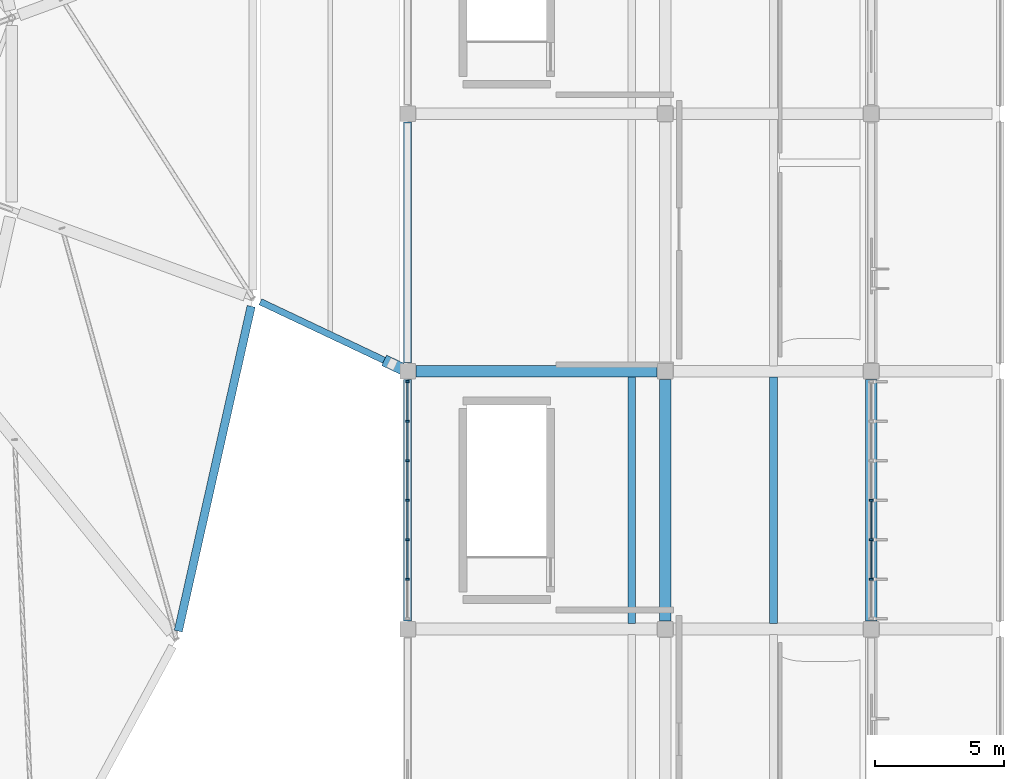
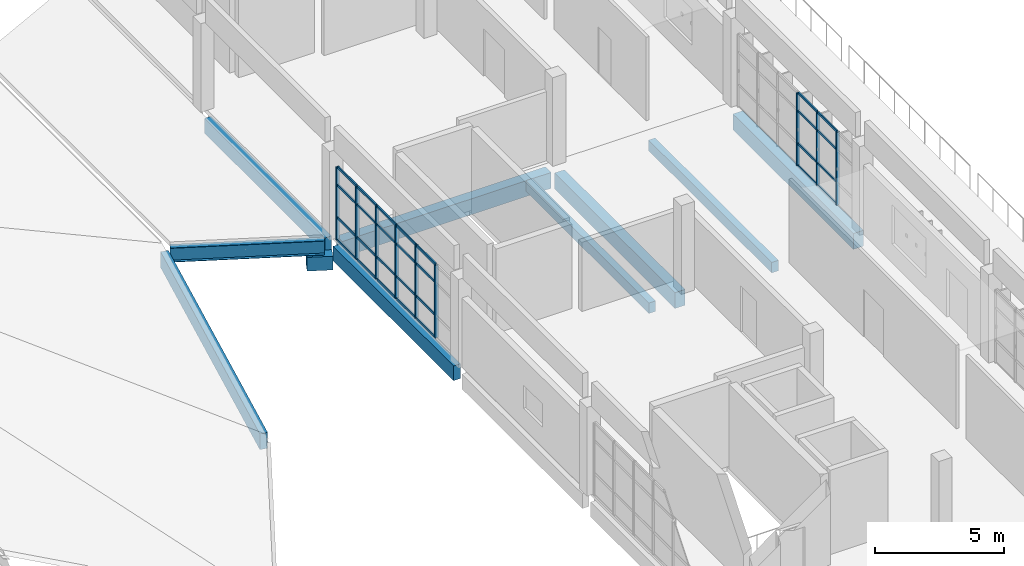
# One storey, part 10 of 39: 37 members, 10 beams, 2 elements without a shape of their own.
"""IFC4 building model written with IfcOpenShell, lengths in metres."""

import ifcopenshell
import ifcopenshell.guid

model = None  # the IFC model being written
_history = None  # IfcOwnerHistory: only IFC2X3 demands one
_inside = {}  # id of a spatial element -> (the spatial element, [elements in it])
_under = {}  # id of a project, library or spatial element -> (it, [spatial elements below it])
_declared = {}  # id of a project -> (the project, [libraries it declares])
_typed = {}  # id of a type object -> (the type object, [elements of that type])
_made_of = {}  # id of a material, layer set ... -> (it, [elements and type objects made of it])


def new_model(schema):
    """Start an empty IFC model of exactly this schema.

    Asked for "IFC4X3", IfcOpenShell would pick the latest addendum, in which some entities
    have other attributes; the version numbers below select the first issue.
    IFC2X3 requires an IfcOwnerHistory on every rooted entity: one is made here for all.
    """
    global model, _history
    if schema == "IFC4X3":
        model = ifcopenshell.file(schema_version=(4, 3, 0, 0))
    else:
        model = ifcopenshell.file(schema=schema)
    _inside.clear()
    _under.clear()
    _declared.clear()
    _typed.clear()
    _made_of.clear()
    _history = None
    if model.schema == "IFC2X3":
        org = make("IfcOrganization", Name="unknown")
        user = make(
            "IfcPersonAndOrganization",
            ThePerson=make("IfcPerson", FamilyName="unknown"),
            TheOrganization=org,
        )
        app = make(
            "IfcApplication",
            ApplicationDeveloper=org,
            Version="unknown",
            ApplicationFullName="unknown",
            ApplicationIdentifier="unknown",
        )
        _history = make(
            "IfcOwnerHistory",
            OwningUser=user,
            OwningApplication=app,
            ChangeAction="ADDED",
            CreationDate=0,
        )
    return model


def make(cls, **values):
    """One entity of the class cls with the attributes given. An attribute that is None is left unset."""
    return model.create_entity(
        cls, **{name: value for name, value in values.items() if value is not None}
    )


def rooted(cls, **values):
    """An entity with a GlobalId (a new one), such as an element, a storey or a relation."""
    return make(cls, GlobalId=ifcopenshell.guid.new(), OwnerHistory=_history, **values)


def si_unit(unit_type, name, prefix=None):
    """IfcSIUnit, for example si_unit("LENGTHUNIT", "METRE", prefix="MILLI")."""
    return make("IfcSIUnit", UnitType=unit_type, Prefix=prefix, Name=name)


def assignment(units):
    """IfcUnitAssignment: the units of a project."""
    return None if units is None else make("IfcUnitAssignment", Units=units)


def point(xyz):
    """IfcCartesianPoint."""
    return None if xyz is None else make("IfcCartesianPoint", Coordinates=xyz)


def direction(xyz):
    """IfcDirection."""
    return None if xyz is None else make("IfcDirection", DirectionRatios=xyz)


def frame(location, z_axis=None, x_axis=None):
    """IfcAxis2Placement3D, a coordinate frame: its origin and axes. An axis left out is left unset."""
    return make(
        "IfcAxis2Placement3D",
        Location=point(location),
        Axis=direction(z_axis),
        RefDirection=direction(x_axis),
    )


def frame_2d(location, x_axis=None):
    """IfcAxis2Placement2D, a coordinate frame in the plane: its origin and x axis."""
    return make(
        "IfcAxis2Placement2D", Location=point(location), RefDirection=direction(x_axis)
    )


def origin():
    """The frame at (0, 0, 0) with its axes left unset."""
    return frame((0.0, 0.0, 0.0))


def origin_2d():
    """The frame at (0, 0) in the plane with its x axis left unset."""
    return frame_2d((0.0, 0.0))


def place(relative_to, where):
    """IfcLocalPlacement: puts the frame where relative to a parent placement (None: the world)."""
    return make(
        "IfcLocalPlacement", PlacementRelTo=relative_to, RelativePlacement=where
    )


def context(
    kind, dimensions, precision=None, world=None, true_north=None, identifier=None
):
    """IfcGeometricRepresentationContext, for example the 3D "Model" context."""
    return make(
        "IfcGeometricRepresentationContext",
        ContextIdentifier=identifier,
        ContextType=kind,
        CoordinateSpaceDimension=dimensions,
        Precision=precision,
        WorldCoordinateSystem=world,
        TrueNorth=true_north,
    )


def subcontext(parent, identifier, kind, view, scale=None):
    """IfcGeometricRepresentationSubContext, for example "Body" below "Model"."""
    return make(
        "IfcGeometricRepresentationSubContext",
        ContextIdentifier=identifier,
        ContextType=kind,
        ParentContext=parent,
        TargetScale=scale,
        TargetView=view,
    )


def project(units=None, contexts=None):
    """IfcProject with its units and contexts."""
    return rooted(
        "IfcProject",
        Name="project",
        RepresentationContexts=contexts,
        UnitsInContext=assignment(units),
    )


def spatial(cls, under=None, at=None, **own):
    """A site, building, storey or space (cls), placed at a placement, below another one or the project."""
    s = rooted(cls, ObjectPlacement=at, **own)
    if under is not None:
        _under.setdefault(under.id(), (under, []))[1].append(s)
    return s


def profile(cls, at=None, kind="AREA", **sizes):
    """A parametric profile (cls). Its sizes go by their IFC names, for example OverallWidth=200.0."""
    return make(cls, ProfileType=kind, Position=at, **sizes)


def rectangle(**sizes):
    """IfcRectangleProfileDef."""
    return profile("IfcRectangleProfileDef", **sizes)


def i_section(**sizes):
    """IfcIShapeProfileDef."""
    return profile("IfcIShapeProfileDef", **sizes)


def extrude(swept, where, along, depth):
    """IfcExtrudedAreaSolid: the profile swept, set in the frame where, extruded along a direction by depth."""
    return make(
        "IfcExtrudedAreaSolid",
        SweptArea=swept,
        Position=where,
        ExtrudedDirection=direction(along),
        Depth=depth,
    )


def shape(context_of_items, identifier, shape_type, items):
    """IfcShapeRepresentation: the items that make up one representation, for example the "Body"."""
    return make(
        "IfcShapeRepresentation",
        ContextOfItems=context_of_items,
        RepresentationIdentifier=identifier,
        RepresentationType=shape_type,
        Items=items,
    )


def material(Name=None, Category=None):
    """IfcMaterial."""
    return make("IfcMaterial", Name=Name, Category=Category)


def layer(
    of_material, thickness, ventilated=None, Name=None, Category=None, Priority=None
):
    """IfcMaterialLayer: one layer of a wall or slab, of a material (None: an air gap)."""
    return make(
        "IfcMaterialLayer",
        Material=of_material,
        LayerThickness=thickness,
        IsVentilated=ventilated,
        Name=Name,
        Category=Category,
        Priority=Priority,
    )


def layer_set(layers, Name=None):
    """IfcMaterialLayerSet."""
    return make("IfcMaterialLayerSet", MaterialLayers=layers, LayerSetName=Name)


def material_profile(
    of_material, cross_section, Name=None, Category=None, Priority=None
):
    """IfcMaterialProfile: a cross section and its material."""
    return make(
        "IfcMaterialProfile",
        Name=Name,
        Material=of_material,
        Profile=cross_section,
        Priority=Priority,
        Category=Category,
    )


def profile_set(profiles, Name=None, composite=None):
    """IfcMaterialProfileSet."""
    return make(
        "IfcMaterialProfileSet",
        Name=Name,
        MaterialProfiles=profiles,
        CompositeProfile=composite,
    )


def made_of(thing, what):
    """Note that an element or type object is made of a material, layer set ...; save() writes the relation."""
    if what is not None:
        _made_of.setdefault(what.id(), (what, []))[1].append(thing)
    return thing


def type_object(cls, material=None, **own):
    """A type object (cls), such as IfcWallType, which elements share."""
    return made_of(rooted(cls, **own), material)


def element(
    cls,
    number,
    at=None,
    inside=None,
    cuts=None,
    type_object=None,
    material=None,
    context=None,
    identifier="Body",
    shape_type=None,
    held_by="IfcProductDefinitionShape",
    body=None,
    shapes=None,
    **own,
):
    """One element of the class cls, such as IfcWall. Its Tag is "e" and its number.

    at: its placement. inside: the storey or other place that contains it. cuts: it is an
    opening in that element (IfcRelVoidsElement). A single representation is given by context,
    identifier, shape_type and body (its items); several are given by shapes. held_by: the class
    of the entity that holds the representations. save() writes the other relations.
    """
    e = rooted(cls, Tag="e%d" % number, ObjectPlacement=at, **own)
    if body is not None:
        shapes = [shape(context, identifier, shape_type, body)]
    if shapes is not None:
        e.Representation = make(held_by, Representations=shapes)
    if inside is not None:
        _inside.setdefault(inside.id(), (inside, []))[1].append(e)
    if cuts is not None:
        rooted(
            "IfcRelVoidsElement", RelatingBuildingElement=cuts, RelatedOpeningElement=e
        )
    if type_object is not None:
        _typed.setdefault(type_object.id(), (type_object, []))[1].append(e)
    return made_of(e, material)


def aggregate(whole, parts):
    """IfcRelAggregates: a whole, such as a stair, and the parts it consists of."""
    return rooted("IfcRelAggregates", RelatingObject=whole, RelatedObjects=parts)


def save(model, path):
    """Write the relations noted so far, then the file.

    IfcRelAggregates (storeys below a building ...), IfcRelContainedInSpatialStructure (elements
    in a storey), IfcRelDefinesByType, IfcRelAssociatesMaterial and IfcRelDeclares: one each for
    every whole, place, type object, material and project.
    """
    for whole, parts in _under.values():
        aggregate(whole, parts)
    for where, things in _inside.values():
        rooted(
            "IfcRelContainedInSpatialStructure",
            RelatedElements=things,
            RelatingStructure=where,
        )
    for kind, things in _typed.values():
        rooted("IfcRelDefinesByType", RelatedObjects=things, RelatingType=kind)
    for what, things in _made_of.values():
        rooted("IfcRelAssociatesMaterial", RelatedObjects=things, RelatingMaterial=what)
    for by, libraries in _declared.values():
        rooted("IfcRelDeclares", RelatingContext=by, RelatedDefinitions=libraries)
    model.write(path)


model = new_model("IFC4")

# Units and contexts
model_context = context("Model", 3, precision=1e-05, world=origin(), true_north=direction((0.0, 1.0)))
body_context = subcontext(model_context, "Body", "Model", "MODEL_VIEW")
ifc_project = project(units=[si_unit("LENGTHUNIT", "METRE"), si_unit("AREAUNIT", "SQUARE_METRE"), si_unit("VOLUMEUNIT", "CUBIC_METRE"), si_unit("PLANEANGLEUNIT", "RADIAN"), si_unit("MASSUNIT", "GRAM", prefix="KILO")], contexts=[model_context])

# Site, building, storey
site_placement = place(None, origin())
site = spatial("IfcSite", under=ifc_project, at=site_placement, CompositionType="ELEMENT")
building_placement = place(site_placement, origin())
building = spatial("IfcBuilding", under=site, at=building_placement, Name="Corvandel Quay Wholesale Market", CompositionType="ELEMENT")
storey_placement = place(building_placement, frame((0.0, 0.0, 15.0)))
storey = spatial("IfcBuildingStorey", under=building, at=storey_placement, Name="L03", CompositionType="ELEMENT", Elevation=15.0)

# Beam
ifc_material_1 = material(Name="Steel A992 Grade 50", Category="steel")
ifc_material_profile_1 = material_profile(ifc_material_1, i_section(OverallWidth=0.25390625, OverallDepth=0.68310546875, WebThickness=0.012451171875, FlangeThickness=0.018798828125, at=origin_2d()), Name="W27X94")
ifc_profile_set_1 = profile_set([ifc_material_profile_1], Name="Steel A992 Grade 50")
beam_type_1 = type_object("IfcBeamType", Name="Bridge Link Steel Girder SG01 W27X94", PredefinedType="USERDEFINED", material=ifc_profile_set_1)
beam_1_placement = place(storey_placement, frame((214.28466796875, 52.704345703125, -0.54150390625), z_axis=(0.903920621158, -0.427700257943, 0.0), x_axis=(0.427700257943, 0.903920621158, 0.0)))
element("IfcBeam", 1, at=beam_1_placement, inside=storey, type_object=beam_type_1, Name="Beam BM-1817", ObjectType="GIRDER", PredefinedType="USERDEFINED", context=body_context, shape_type="SweptSolid", body=[
    extrude(i_section(OverallWidth=0.25390625, OverallDepth=0.68310546875, WebThickness=0.012451171875, FlangeThickness=0.018798828125, at=origin_2d()), origin(), (0.0, 0.0, 1.0), 6.0078125),
])

# Curtain wall, members
ifc_material_2 = material(Name="Bronze anodised aluminium and low-E insulated glazing", Category="aluminium")
ifc_layer_1 = layer(ifc_material_2, 0.162109375)
ifc_layer_set_1 = layer_set([ifc_layer_1], Name="Bronze anodised aluminium and low-E insulated glazing")
curtain_wall_type_1 = type_object("IfcCurtainWallType", Name="Stick Curtain Wall System CW16 H4440", PredefinedType="NOTDEFINED", material=ifc_layer_set_1)
curtain_wall_1_placement = place(storey_placement, origin())
curtain_wall_1 = element("IfcCurtainWall", 2, at=curtain_wall_1_placement, inside=storey, type_object=curtain_wall_type_1, Name="Curtain Wall CW-0164", PredefinedType="NOTDEFINED")
ifc_material_3 = material(Name="Anodised aluminium 6063-T6", Category="aluminium")
ifc_material_profile_2 = material_profile(ifc_material_3, rectangle(XDim=0.06494140625, YDim=0.14990234375, at=origin_2d()), Name="ALU-MUL-65x150")
ifc_profile_set_2 = profile_set([ifc_material_profile_2], Name="Anodised aluminium 6063-T6")
member_type_1 = type_object("IfcMemberType", Name="Curtain Wall Mullion ML02 65x150", PredefinedType="MULLION", material=ifc_profile_set_2)
member_1_placement = place(storey_placement, frame((238.0, 41.933349609375, 0.0), z_axis=(0.0, 0.0, 1.0), x_axis=(0.0, 1.0, 0.0)))
member_1 = element("IfcMember", 3, at=member_1_placement, type_object=member_type_1, Name="Mullion CW-0164-M01", PredefinedType="MULLION", context=body_context, shape_type="SweptSolid", body=[
    extrude(rectangle(XDim=0.06494140625, YDim=0.14990234375, at=origin_2d()), origin(), (0.0, 0.0, 1.0), 3.449951171875),
])
member_2_placement = place(storey_placement, frame((238.0, 43.466796875, 0.0), z_axis=(0.0, 0.0, 1.0), x_axis=(0.0, 1.0, 0.0)))
member_2 = element("IfcMember", 4, at=member_2_placement, type_object=member_type_1, Name="Mullion CW-0164-M02", PredefinedType="MULLION", context=body_context, shape_type="SweptSolid", body=[
    extrude(rectangle(XDim=0.06494140625, YDim=0.14990234375, at=origin_2d()), origin(), (0.0, 0.0, 1.0), 3.449951171875),
])
member_3_placement = place(storey_placement, frame((238.0, 45.0, 0.0), z_axis=(0.0, 0.0, 1.0), x_axis=(0.0, 1.0, 0.0)))
member_3 = element("IfcMember", 5, at=member_3_placement, type_object=member_type_1, Name="Mullion CW-0164-M03", PredefinedType="MULLION", context=body_context, shape_type="SweptSolid", body=[
    extrude(rectangle(XDim=0.06494140625, YDim=0.14990234375, at=origin_2d()), origin(), (0.0, 0.0, 1.0), 3.449951171875),
])

ifc_layer_2 = layer(ifc_material_2, 0.174072265625)
ifc_layer_set_2 = layer_set([ifc_layer_2], Name="Bronze anodised aluminium and low-E insulated glazing")
curtain_wall_type_2 = type_object("IfcCurtainWallType", Name="Stick Curtain Wall System CW22 H4980", PredefinedType="NOTDEFINED", material=ifc_layer_set_2)
curtain_wall_2_placement = place(storey_placement, origin())
curtain_wall_2 = element("IfcCurtainWall", 6, at=curtain_wall_2_placement, inside=storey, type_object=curtain_wall_type_2, Name="Curtain Wall CW-0165", PredefinedType="NOTDEFINED")
member_4_placement = place(storey_placement, frame((220.0, 41.933349609375, 0.0), z_axis=(0.0, 0.0, 1.0), x_axis=(0.0, 1.0, 0.0)))
member_4 = element("IfcMember", 7, at=member_4_placement, type_object=member_type_1, Name="Mullion CW-0165-M01", PredefinedType="MULLION", context=body_context, shape_type="SweptSolid", body=[
    extrude(rectangle(XDim=0.06494140625, YDim=0.14990234375, at=origin_2d()), origin(), (0.0, 0.0, 1.0), 3.449951171875),
])
member_5_placement = place(storey_placement, frame((220.0, 43.466796875, 0.0), z_axis=(0.0, 0.0, 1.0), x_axis=(0.0, 1.0, 0.0)))
member_5 = element("IfcMember", 8, at=member_5_placement, type_object=member_type_1, Name="Mullion CW-0165-M02", PredefinedType="MULLION", context=body_context, shape_type="SweptSolid", body=[
    extrude(rectangle(XDim=0.06494140625, YDim=0.14990234375, at=origin_2d()), origin(), (0.0, 0.0, 1.0), 3.449951171875),
])
member_6_placement = place(storey_placement, frame((220.0, 45.0, 0.0), z_axis=(0.0, 0.0, 1.0), x_axis=(0.0, 1.0, 0.0)))
member_6 = element("IfcMember", 9, at=member_6_placement, type_object=member_type_1, Name="Mullion CW-0165-M03", PredefinedType="MULLION", context=body_context, shape_type="SweptSolid", body=[
    extrude(rectangle(XDim=0.06494140625, YDim=0.14990234375, at=origin_2d()), origin(), (0.0, 0.0, 1.0), 3.449951171875),
])
member_7_placement = place(storey_placement, frame((220.0, 46.533203125, 0.0), z_axis=(0.0, 0.0, 1.0), x_axis=(0.0, 1.0, 0.0)))
member_7 = element("IfcMember", 10, at=member_7_placement, type_object=member_type_1, Name="Mullion CW-0165-M04", PredefinedType="MULLION", context=body_context, shape_type="SweptSolid", body=[
    extrude(rectangle(XDim=0.06494140625, YDim=0.14990234375, at=origin_2d()), origin(), (0.0, 0.0, 1.0), 3.449951171875),
])
member_8_placement = place(storey_placement, frame((220.0, 48.066650390625, 0.0), z_axis=(0.0, 0.0, 1.0), x_axis=(0.0, 1.0, 0.0)))
member_8 = element("IfcMember", 11, at=member_8_placement, type_object=member_type_1, Name="Mullion CW-0165-M05", PredefinedType="MULLION", context=body_context, shape_type="SweptSolid", body=[
    extrude(rectangle(XDim=0.06494140625, YDim=0.14990234375, at=origin_2d()), origin(), (0.0, 0.0, 1.0), 3.449951171875),
])
member_9_placement = place(storey_placement, frame((220.0, 49.60009765625, 0.0), z_axis=(0.0, 0.0, 1.0), x_axis=(0.0, 1.0, 0.0)))
member_9 = element("IfcMember", 12, at=member_9_placement, type_object=member_type_1, Name="Mullion CW-0165-M06", PredefinedType="MULLION", context=body_context, shape_type="SweptSolid", body=[
    extrude(rectangle(XDim=0.06494140625, YDim=0.14990234375, at=origin_2d()), origin(), (0.0, 0.0, 1.0), 3.449951171875),
])

# Member
ifc_material_profile_3 = material_profile(ifc_material_3, rectangle(XDim=0.06005859375, YDim=0.110107421875, at=origin_2d()), Name="ALU-TRN-60x110")
ifc_profile_set_3 = profile_set([ifc_material_profile_3], Name="Anodised aluminium 6063-T6")
member_type_2 = type_object("IfcMemberType", Name="Curtain Wall Transom TR02 60x110", PredefinedType="USERDEFINED", material=ifc_profile_set_3)
member_10_placement = place(storey_placement, frame((238.0, 41.9658203125, 0.0), z_axis=(0.0, 1.0, 0.0), x_axis=(-1.0, 0.0, 0.0)))
member_10 = element("IfcMember", 13, at=member_10_placement, type_object=member_type_2, Name="Transom CW-0164-T01-0", ObjectType="TRANSOM", PredefinedType="USERDEFINED", context=body_context, shape_type="SweptSolid", body=[
    extrude(rectangle(XDim=0.06005859375, YDim=0.110107421875, at=origin_2d()), origin(), (0.0, 0.0, 1.0), 1.46826171875),
])

member_11_placement = place(storey_placement, frame((238.0, 41.9658203125, 1.050048828125), z_axis=(0.0, 1.0, 0.0), x_axis=(-1.0, 0.0, 0.0)))
member_11 = element("IfcMember", 14, at=member_11_placement, type_object=member_type_2, Name="Transom CW-0164-T01-1", ObjectType="TRANSOM", PredefinedType="USERDEFINED", context=body_context, shape_type="SweptSolid", body=[
    extrude(rectangle(XDim=0.06005859375, YDim=0.110107421875, at=origin_2d()), origin(), (0.0, 0.0, 1.0), 1.46826171875),
])

member_12_placement = place(storey_placement, frame((238.0, 41.9658203125, 2.60009765625), z_axis=(0.0, 1.0, 0.0), x_axis=(-1.0, 0.0, 0.0)))
member_12 = element("IfcMember", 15, at=member_12_placement, type_object=member_type_2, Name="Transom CW-0164-T01-2", ObjectType="TRANSOM", PredefinedType="USERDEFINED", context=body_context, shape_type="SweptSolid", body=[
    extrude(rectangle(XDim=0.06005859375, YDim=0.110107421875, at=origin_2d()), origin(), (0.0, 0.0, 1.0), 1.46826171875),
])

member_13_placement = place(storey_placement, frame((238.0, 41.9658203125, 3.449951171875), z_axis=(0.0, 1.0, 0.0), x_axis=(-1.0, 0.0, 0.0)))
member_13 = element("IfcMember", 16, at=member_13_placement, type_object=member_type_2, Name="Transom CW-0164-T01-3", ObjectType="TRANSOM", PredefinedType="USERDEFINED", context=body_context, shape_type="SweptSolid", body=[
    extrude(rectangle(XDim=0.06005859375, YDim=0.110107421875, at=origin_2d()), origin(), (0.0, 0.0, 1.0), 1.46826171875),
])

member_14_placement = place(storey_placement, frame((238.0, 43.499267578125, 0.0), z_axis=(0.0, 1.0, 0.0), x_axis=(-1.0, 0.0, 0.0)))
member_14 = element("IfcMember", 17, at=member_14_placement, type_object=member_type_2, Name="Transom CW-0164-T02-0", ObjectType="TRANSOM", PredefinedType="USERDEFINED", context=body_context, shape_type="SweptSolid", body=[
    extrude(rectangle(XDim=0.06005859375, YDim=0.110107421875, at=origin_2d()), origin(), (0.0, 0.0, 1.0), 1.46826171875),
])

member_15_placement = place(storey_placement, frame((238.0, 43.499267578125, 1.050048828125), z_axis=(0.0, 1.0, 0.0), x_axis=(-1.0, 0.0, 0.0)))
member_15 = element("IfcMember", 18, at=member_15_placement, type_object=member_type_2, Name="Transom CW-0164-T02-1", ObjectType="TRANSOM", PredefinedType="USERDEFINED", context=body_context, shape_type="SweptSolid", body=[
    extrude(rectangle(XDim=0.06005859375, YDim=0.110107421875, at=origin_2d()), origin(), (0.0, 0.0, 1.0), 1.46826171875),
])

member_16_placement = place(storey_placement, frame((238.0, 43.499267578125, 2.60009765625), z_axis=(0.0, 1.0, 0.0), x_axis=(-1.0, 0.0, 0.0)))
member_16 = element("IfcMember", 19, at=member_16_placement, type_object=member_type_2, Name="Transom CW-0164-T02-2", ObjectType="TRANSOM", PredefinedType="USERDEFINED", context=body_context, shape_type="SweptSolid", body=[
    extrude(rectangle(XDim=0.06005859375, YDim=0.110107421875, at=origin_2d()), origin(), (0.0, 0.0, 1.0), 1.46826171875),
])

member_17_placement = place(storey_placement, frame((238.0, 43.499267578125, 3.449951171875), z_axis=(0.0, 1.0, 0.0), x_axis=(-1.0, 0.0, 0.0)))
member_17 = element("IfcMember", 20, at=member_17_placement, type_object=member_type_2, Name="Transom CW-0164-T02-3", ObjectType="TRANSOM", PredefinedType="USERDEFINED", context=body_context, shape_type="SweptSolid", body=[
    extrude(rectangle(XDim=0.06005859375, YDim=0.110107421875, at=origin_2d()), origin(), (0.0, 0.0, 1.0), 1.46826171875),
])

aggregate(curtain_wall_1, [member_1, member_2, member_3, member_10, member_11, member_12, member_13, member_14, member_15, member_16, member_17])

member_18_placement = place(storey_placement, frame((220.0, 41.9658203125, 0.0), z_axis=(0.0, 1.0, 0.0), x_axis=(-1.0, 0.0, 0.0)))
member_18 = element("IfcMember", 21, at=member_18_placement, type_object=member_type_2, Name="Transom CW-0165-T01-0", ObjectType="TRANSOM", PredefinedType="USERDEFINED", context=body_context, shape_type="SweptSolid", body=[
    extrude(rectangle(XDim=0.06005859375, YDim=0.110107421875, at=origin_2d()), origin(), (0.0, 0.0, 1.0), 1.46826171875),
])

member_19_placement = place(storey_placement, frame((220.0, 41.9658203125, 1.050048828125), z_axis=(0.0, 1.0, 0.0), x_axis=(-1.0, 0.0, 0.0)))
member_19 = element("IfcMember", 22, at=member_19_placement, type_object=member_type_2, Name="Transom CW-0165-T01-1", ObjectType="TRANSOM", PredefinedType="USERDEFINED", context=body_context, shape_type="SweptSolid", body=[
    extrude(rectangle(XDim=0.06005859375, YDim=0.110107421875, at=origin_2d()), origin(), (0.0, 0.0, 1.0), 1.46826171875),
])

member_20_placement = place(storey_placement, frame((220.0, 41.9658203125, 2.60009765625), z_axis=(0.0, 1.0, 0.0), x_axis=(-1.0, 0.0, 0.0)))
member_20 = element("IfcMember", 23, at=member_20_placement, type_object=member_type_2, Name="Transom CW-0165-T01-2", ObjectType="TRANSOM", PredefinedType="USERDEFINED", context=body_context, shape_type="SweptSolid", body=[
    extrude(rectangle(XDim=0.06005859375, YDim=0.110107421875, at=origin_2d()), origin(), (0.0, 0.0, 1.0), 1.46826171875),
])

member_21_placement = place(storey_placement, frame((220.0, 41.9658203125, 3.449951171875), z_axis=(0.0, 1.0, 0.0), x_axis=(-1.0, 0.0, 0.0)))
member_21 = element("IfcMember", 24, at=member_21_placement, type_object=member_type_2, Name="Transom CW-0165-T01-3", ObjectType="TRANSOM", PredefinedType="USERDEFINED", context=body_context, shape_type="SweptSolid", body=[
    extrude(rectangle(XDim=0.06005859375, YDim=0.110107421875, at=origin_2d()), origin(), (0.0, 0.0, 1.0), 1.46826171875),
])

member_22_placement = place(storey_placement, frame((220.0, 43.499267578125, 0.0), z_axis=(0.0, 1.0, 0.0), x_axis=(-1.0, 0.0, 0.0)))
member_22 = element("IfcMember", 25, at=member_22_placement, type_object=member_type_2, Name="Transom CW-0165-T02-0", ObjectType="TRANSOM", PredefinedType="USERDEFINED", context=body_context, shape_type="SweptSolid", body=[
    extrude(rectangle(XDim=0.06005859375, YDim=0.110107421875, at=origin_2d()), origin(), (0.0, 0.0, 1.0), 1.46826171875),
])

member_23_placement = place(storey_placement, frame((220.0, 43.499267578125, 1.050048828125), z_axis=(0.0, 1.0, 0.0), x_axis=(-1.0, 0.0, 0.0)))
member_23 = element("IfcMember", 26, at=member_23_placement, type_object=member_type_2, Name="Transom CW-0165-T02-1", ObjectType="TRANSOM", PredefinedType="USERDEFINED", context=body_context, shape_type="SweptSolid", body=[
    extrude(rectangle(XDim=0.06005859375, YDim=0.110107421875, at=origin_2d()), origin(), (0.0, 0.0, 1.0), 1.46826171875),
])

member_24_placement = place(storey_placement, frame((220.0, 43.499267578125, 2.60009765625), z_axis=(0.0, 1.0, 0.0), x_axis=(-1.0, 0.0, 0.0)))
member_24 = element("IfcMember", 27, at=member_24_placement, type_object=member_type_2, Name="Transom CW-0165-T02-2", ObjectType="TRANSOM", PredefinedType="USERDEFINED", context=body_context, shape_type="SweptSolid", body=[
    extrude(rectangle(XDim=0.06005859375, YDim=0.110107421875, at=origin_2d()), origin(), (0.0, 0.0, 1.0), 1.46826171875),
])

member_25_placement = place(storey_placement, frame((220.0, 43.499267578125, 3.449951171875), z_axis=(0.0, 1.0, 0.0), x_axis=(-1.0, 0.0, 0.0)))
member_25 = element("IfcMember", 28, at=member_25_placement, type_object=member_type_2, Name="Transom CW-0165-T02-3", ObjectType="TRANSOM", PredefinedType="USERDEFINED", context=body_context, shape_type="SweptSolid", body=[
    extrude(rectangle(XDim=0.06005859375, YDim=0.110107421875, at=origin_2d()), origin(), (0.0, 0.0, 1.0), 1.46826171875),
])

member_26_placement = place(storey_placement, frame((220.0, 45.032470703125, 0.0), z_axis=(0.0, 1.0, 0.0), x_axis=(-1.0, 0.0, 0.0)))
member_26 = element("IfcMember", 29, at=member_26_placement, type_object=member_type_2, Name="Transom CW-0165-T03-0", ObjectType="TRANSOM", PredefinedType="USERDEFINED", context=body_context, shape_type="SweptSolid", body=[
    extrude(rectangle(XDim=0.06005859375, YDim=0.110107421875, at=origin_2d()), origin(), (0.0, 0.0, 1.0), 1.46826171875),
])

member_27_placement = place(storey_placement, frame((220.0, 45.032470703125, 1.050048828125), z_axis=(0.0, 1.0, 0.0), x_axis=(-1.0, 0.0, 0.0)))
member_27 = element("IfcMember", 30, at=member_27_placement, type_object=member_type_2, Name="Transom CW-0165-T03-1", ObjectType="TRANSOM", PredefinedType="USERDEFINED", context=body_context, shape_type="SweptSolid", body=[
    extrude(rectangle(XDim=0.06005859375, YDim=0.110107421875, at=origin_2d()), origin(), (0.0, 0.0, 1.0), 1.46826171875),
])

member_28_placement = place(storey_placement, frame((220.0, 45.032470703125, 2.60009765625), z_axis=(0.0, 1.0, 0.0), x_axis=(-1.0, 0.0, 0.0)))
member_28 = element("IfcMember", 31, at=member_28_placement, type_object=member_type_2, Name="Transom CW-0165-T03-2", ObjectType="TRANSOM", PredefinedType="USERDEFINED", context=body_context, shape_type="SweptSolid", body=[
    extrude(rectangle(XDim=0.06005859375, YDim=0.110107421875, at=origin_2d()), origin(), (0.0, 0.0, 1.0), 1.46826171875),
])

member_29_placement = place(storey_placement, frame((220.0, 45.032470703125, 3.449951171875), z_axis=(0.0, 1.0, 0.0), x_axis=(-1.0, 0.0, 0.0)))
member_29 = element("IfcMember", 32, at=member_29_placement, type_object=member_type_2, Name="Transom CW-0165-T03-3", ObjectType="TRANSOM", PredefinedType="USERDEFINED", context=body_context, shape_type="SweptSolid", body=[
    extrude(rectangle(XDim=0.06005859375, YDim=0.110107421875, at=origin_2d()), origin(), (0.0, 0.0, 1.0), 1.46826171875),
])

member_30_placement = place(storey_placement, frame((220.0, 46.56591796875, 0.0), z_axis=(0.0, 1.0, 0.0), x_axis=(-1.0, 0.0, 0.0)))
member_30 = element("IfcMember", 33, at=member_30_placement, type_object=member_type_2, Name="Transom CW-0165-T04-0", ObjectType="TRANSOM", PredefinedType="USERDEFINED", context=body_context, shape_type="SweptSolid", body=[
    extrude(rectangle(XDim=0.06005859375, YDim=0.110107421875, at=origin_2d()), origin(), (0.0, 0.0, 1.0), 1.46826171875),
])

member_31_placement = place(storey_placement, frame((220.0, 46.56591796875, 1.050048828125), z_axis=(0.0, 1.0, 0.0), x_axis=(-1.0, 0.0, 0.0)))
member_31 = element("IfcMember", 34, at=member_31_placement, type_object=member_type_2, Name="Transom CW-0165-T04-1", ObjectType="TRANSOM", PredefinedType="USERDEFINED", context=body_context, shape_type="SweptSolid", body=[
    extrude(rectangle(XDim=0.06005859375, YDim=0.110107421875, at=origin_2d()), origin(), (0.0, 0.0, 1.0), 1.46826171875),
])

member_32_placement = place(storey_placement, frame((220.0, 46.56591796875, 2.60009765625), z_axis=(0.0, 1.0, 0.0), x_axis=(-1.0, 0.0, 0.0)))
member_32 = element("IfcMember", 35, at=member_32_placement, type_object=member_type_2, Name="Transom CW-0165-T04-2", ObjectType="TRANSOM", PredefinedType="USERDEFINED", context=body_context, shape_type="SweptSolid", body=[
    extrude(rectangle(XDim=0.06005859375, YDim=0.110107421875, at=origin_2d()), origin(), (0.0, 0.0, 1.0), 1.46826171875),
])

member_33_placement = place(storey_placement, frame((220.0, 46.56591796875, 3.449951171875), z_axis=(0.0, 1.0, 0.0), x_axis=(-1.0, 0.0, 0.0)))
member_33 = element("IfcMember", 36, at=member_33_placement, type_object=member_type_2, Name="Transom CW-0165-T04-3", ObjectType="TRANSOM", PredefinedType="USERDEFINED", context=body_context, shape_type="SweptSolid", body=[
    extrude(rectangle(XDim=0.06005859375, YDim=0.110107421875, at=origin_2d()), origin(), (0.0, 0.0, 1.0), 1.46826171875),
])

member_34_placement = place(storey_placement, frame((220.0, 48.09912109375, 0.0), z_axis=(0.0, 1.0, 0.0), x_axis=(-1.0, 0.0, 0.0)))
member_34 = element("IfcMember", 37, at=member_34_placement, type_object=member_type_2, Name="Transom CW-0165-T05-0", ObjectType="TRANSOM", PredefinedType="USERDEFINED", context=body_context, shape_type="SweptSolid", body=[
    extrude(rectangle(XDim=0.06005859375, YDim=0.110107421875, at=origin_2d()), origin(), (0.0, 0.0, 1.0), 1.46826171875),
])

member_35_placement = place(storey_placement, frame((220.0, 48.09912109375, 1.050048828125), z_axis=(0.0, 1.0, 0.0), x_axis=(-1.0, 0.0, 0.0)))
member_35 = element("IfcMember", 38, at=member_35_placement, type_object=member_type_2, Name="Transom CW-0165-T05-1", ObjectType="TRANSOM", PredefinedType="USERDEFINED", context=body_context, shape_type="SweptSolid", body=[
    extrude(rectangle(XDim=0.06005859375, YDim=0.110107421875, at=origin_2d()), origin(), (0.0, 0.0, 1.0), 1.46826171875),
])

member_36_placement = place(storey_placement, frame((220.0, 48.09912109375, 2.60009765625), z_axis=(0.0, 1.0, 0.0), x_axis=(-1.0, 0.0, 0.0)))
member_36 = element("IfcMember", 39, at=member_36_placement, type_object=member_type_2, Name="Transom CW-0165-T05-2", ObjectType="TRANSOM", PredefinedType="USERDEFINED", context=body_context, shape_type="SweptSolid", body=[
    extrude(rectangle(XDim=0.06005859375, YDim=0.110107421875, at=origin_2d()), origin(), (0.0, 0.0, 1.0), 1.46826171875),
])

member_37_placement = place(storey_placement, frame((220.0, 48.09912109375, 3.449951171875), z_axis=(0.0, 1.0, 0.0), x_axis=(-1.0, 0.0, 0.0)))
member_37 = element("IfcMember", 40, at=member_37_placement, type_object=member_type_2, Name="Transom CW-0165-T05-3", ObjectType="TRANSOM", PredefinedType="USERDEFINED", context=body_context, shape_type="SweptSolid", body=[
    extrude(rectangle(XDim=0.06005859375, YDim=0.110107421875, at=origin_2d()), origin(), (0.0, 0.0, 1.0), 1.46826171875),
])

aggregate(curtain_wall_2, [member_4, member_5, member_6, member_7, member_8, member_9, member_18, member_19, member_20, member_21, member_22, member_23, member_24, member_25, member_26, member_27, member_28, member_29, member_30, member_31, member_32, member_33, member_34, member_35, member_36, member_37])

# Beams
ifc_material_4 = material(Name="Precast concrete C45/55", Category="concrete")
ifc_material_profile_4 = material_profile(ifc_material_4, rectangle(XDim=0.300048828125, YDim=0.5, at=origin_2d()), Name="PC-BM-300x500")
ifc_profile_set_4 = profile_set([ifc_material_profile_4], Name="Precast concrete C45/55")
beam_type_2 = type_object("IfcBeamType", Name="Office Floor Secondary Beam B04 300x500", PredefinedType="BEAM", material=ifc_profile_set_4)
for number, where, z_axis, x_axis, name in (
    (41, (228.699951171875, 40.215087890625, -0.570068359375), (0.0, 1.0, 0.0), (-1.0, 0.0, 0.0), "Beam BM-1684"),
    (42, (234.199951171875, 40.215087890625, -0.570068359375), (0.0, 1.0, 0.0), (-1.0, 0.0, 0.0), "Beam BM-1685"),
):
    element("IfcBeam", number, at=place(storey_placement, frame(where, z_axis=z_axis, x_axis=x_axis)), inside=storey, type_object=beam_type_2, Name=name, PredefinedType="BEAM", context=body_context, shape_type="SweptSolid", body=[
        extrude(rectangle(XDim=0.300048828125, YDim=0.5, at=origin_2d()), origin(), (0.0, 0.0, 1.0), 9.56982421875),
    ])
ifc_material_profile_5 = material_profile(ifc_material_4, rectangle(XDim=0.320068359375, YDim=0.75, at=origin_2d()), Name="PC-SPN-320x750")
ifc_profile_set_5 = profile_set([ifc_material_profile_5], Name="Precast concrete C45/55")
beam_type_3 = type_object("IfcBeamType", Name="Pavilion Precast Spandrel SP02 320x750", PredefinedType="SPANDREL", material=ifc_profile_set_5)
beam_2_placement = place(storey_placement, frame((211.10107421875, 39.920166015625, -0.574951171875), z_axis=(0.218948761125, 0.975736357835, 0.0), x_axis=(-0.975736357835, 0.218948761125, 0.0)))
element("IfcBeam", 43, at=beam_2_placement, inside=storey, type_object=beam_type_3, Name="Beam BM-0923", PredefinedType="SPANDREL", context=body_context, shape_type="SweptSolid", body=[
    extrude(rectangle(XDim=0.320068359375, YDim=0.75, at=origin_2d()), origin(), (0.0, 0.0, 1.0), 12.920166015625),
])
ifc_material_profile_6 = material_profile(ifc_material_4, rectangle(XDim=0.449951171875, YDim=0.64990234375, at=origin_2d()), Name="PC-COR-680x650")
ifc_profile_set_6 = profile_set([ifc_material_profile_6], Name="Precast concrete C45/55")
beam_type_4 = type_object("IfcBeamType", Name="Seismic Joint Precast Corbel CB01 680x650", PredefinedType="BEAM", material=ifc_profile_set_6)
beam_3_placement = place(storey_placement, frame((220.0, 50.0, -1.2080078125), z_axis=(-0.903980084477, 0.427574562935, 0.0), x_axis=(-0.427574562935, -0.903980084477, 0.0)))
element("IfcBeam", 44, at=beam_3_placement, inside=storey, type_object=beam_type_4, Name="Beam BM-1816", PredefinedType="BEAM", context=body_context, shape_type="SweptSolid", body=[
    extrude(rectangle(XDim=0.449951171875, YDim=0.64990234375, at=origin_2d()), origin(), (0.0, 0.0, 1.0), 1.0048828125),
])
ifc_material_profile_7 = material_profile(ifc_material_4, rectangle(XDim=0.300048828125, YDim=0.699951171875, at=origin_2d()), Name="PC-SPN-300x700")
ifc_profile_set_7 = profile_set([ifc_material_profile_7], Name="Precast concrete C45/55")
beam_type_5 = type_object("IfcBeamType", Name="Terrace Edge Spandrel SP03 300x700", PredefinedType="SPANDREL", material=ifc_profile_set_7)
for number, where, z_axis, x_axis, name in (
    (45, (220.0, 40.320068359375, -0.669921875), (0.0, 1.0, 0.0), (-1.0, 0.0, 0.0), "Beam BM-1645"),
    (46, (220.0, 50.320068359375, -0.669921875), (0.0, 1.0, 0.0), (-1.0, 0.0, 0.0), "Beam BM-1646"),
):
    element("IfcBeam", number, at=place(storey_placement, frame(where, z_axis=z_axis, x_axis=x_axis)), inside=storey, type_object=beam_type_5, Name=name, PredefinedType="SPANDREL", context=body_context, shape_type="SweptSolid", body=[
        extrude(rectangle(XDim=0.300048828125, YDim=0.699951171875, at=origin_2d()), origin(), (0.0, 0.0, 1.0), 9.35986328125),
    ])
ifc_material_profile_8 = material_profile(ifc_material_4, rectangle(XDim=0.449951171875, YDim=0.75, at=origin_2d()), Name="PC-GIR-450x750")
ifc_profile_set_8 = profile_set([ifc_material_profile_8], Name="Precast concrete C45/55")
beam_type_6 = type_object("IfcBeamType", Name="Waterfront Office Girder G06 450x750", PredefinedType="USERDEFINED", material=ifc_profile_set_8)
for number, where, z_axis, x_axis, name in (
    (47, (220.320068359375, 50.0, -0.695068359375), (1.0, 0.0, 0.0), (0.0, 1.0, 0.0), "Beam BM-1624"),
    (48, (230.0, 40.320068359375, -0.695068359375), (0.0, 1.0, 0.0), (-1.0, 0.0, 0.0), "Beam BM-1654"),
    (49, (238.0, 40.320068359375, -0.695068359375), (0.0, 1.0, 0.0), (-1.0, 0.0, 0.0), "Beam BM-1663"),
):
    element("IfcBeam", number, at=place(storey_placement, frame(where, z_axis=z_axis, x_axis=x_axis)), inside=storey, type_object=beam_type_6, Name=name, ObjectType="GIRDER", PredefinedType="USERDEFINED", context=body_context, shape_type="SweptSolid", body=[
        extrude(rectangle(XDim=0.449951171875, YDim=0.75, at=origin_2d()), origin(), (0.0, 0.0, 1.0), 9.35986328125),
    ])

save(model, "model.ifc")
